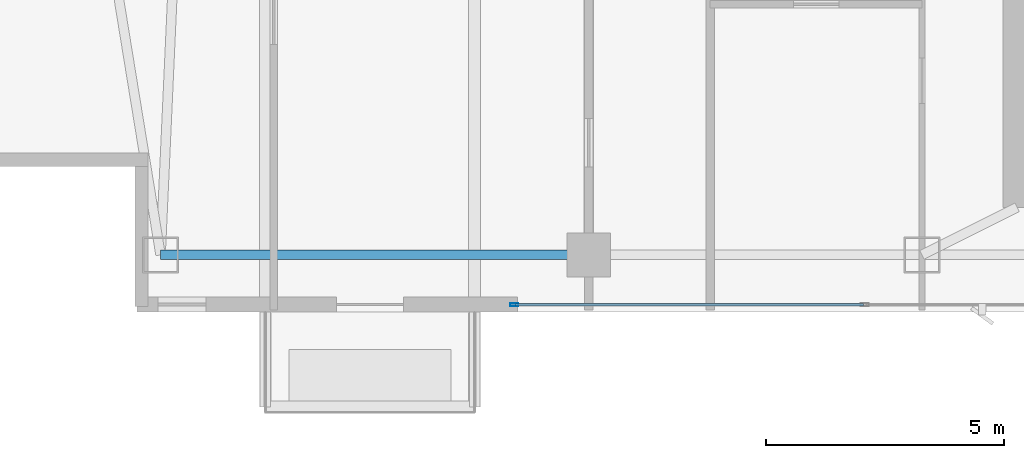
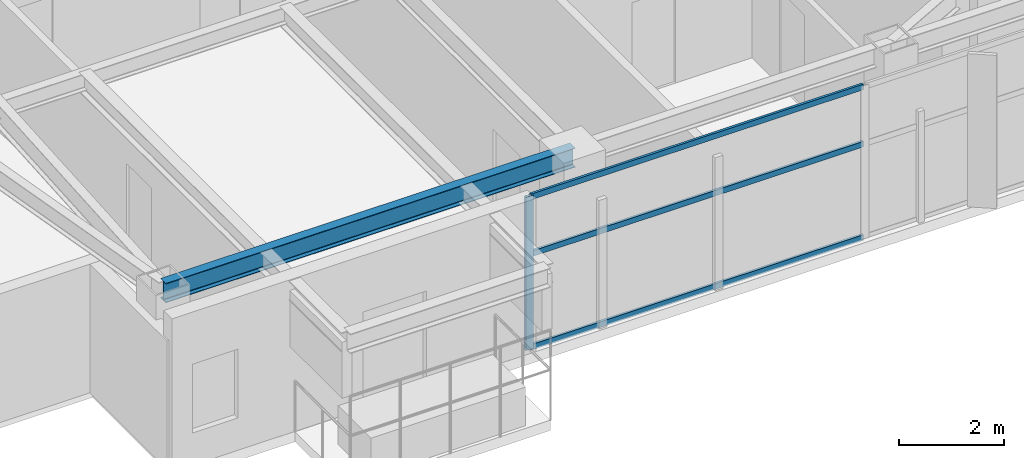
# One storey, part 3 of 28: 4 members, 1 beam, 1 element without a shape of its own.
"""IFC4 building model written with IfcOpenShell, lengths in metres."""

from ifc_helpers import new_model, si_unit, direction, frame, origin, origin_2d, place, context, subcontext, project, spatial, hollow_rectangle, i_section, extrude, material, layer, layer_set, material_profile, profile_set, type_object, element, aggregate, save


model = new_model("IFC4")

# Units and contexts
model_context = context("Model", 3, precision=1e-05, world=origin(), true_north=direction((0.0, 1.0)))
body_context = subcontext(model_context, "Body", "Model", "MODEL_VIEW")
ifc_project = project(units=[si_unit("LENGTHUNIT", "METRE"), si_unit("AREAUNIT", "SQUARE_METRE"), si_unit("VOLUMEUNIT", "CUBIC_METRE"), si_unit("PLANEANGLEUNIT", "RADIAN"), si_unit("MASSUNIT", "GRAM", prefix="KILO")], contexts=[model_context])

# Site, building, storey
site_placement = place(None, origin())
site = spatial("IfcSite", under=ifc_project, at=site_placement, CompositionType="ELEMENT")
building_placement = place(site_placement, origin())
building = spatial("IfcBuilding", under=site, at=building_placement, Name="Calvorn Quay Hotel", CompositionType="ELEMENT")
storey_placement = place(building_placement, frame((0.0, 0.0, 271.10009765625)))
storey = spatial("IfcBuildingStorey", under=building, at=storey_placement, Name="L67", CompositionType="ELEMENT", Elevation=271.10009765625)

# Beam
ifc_material_1 = material(Name="Steel Q355B", Category="steel")
ifc_material_profile_1 = material_profile(ifc_material_1, i_section(OverallWidth=0.199951171875, OverallDepth=0.449951171875, WebThickness=0.009033203125, FlangeThickness=0.013916015625, FilletRadius=0.01611328125, at=origin_2d()), Name="HN450x200x9x14")
ifc_profile_set_1 = profile_set([ifc_material_profile_1], Name="Steel Q355B")
beam_type = type_object("IfcBeamType", Name="BM-SPANDREL-Z3", PredefinedType="SPANDREL", material=ifc_profile_set_1)
beam_placement = place(storey_placement, frame((3.60009765625, 3.60009765625, 3.31494140625), z_axis=(1.0, 0.0, 0.0), x_axis=(0.0, 1.0, 0.0)))
element("IfcBeam", 1, at=beam_placement, inside=storey, type_object=beam_type, Name="Beam BSP-L67-S1", PredefinedType="SPANDREL", context=body_context, shape_type="SweptSolid", body=[
    extrude(i_section(OverallWidth=0.199951171875, OverallDepth=0.449951171875, WebThickness=0.009033203125, FlangeThickness=0.013916015625, FilletRadius=0.01611328125, at=origin_2d()), origin(), (0.0, 0.0, 1.0), 9.0),
])

# Curtain wall, members
ifc_material_2 = material(Name="Champagne Bronze Anodised Aluminium and Low-E Glass", Category="aluminium")
ifc_layer = layer(ifc_material_2, 0.219970703125)
ifc_layer_set = layer_set([ifc_layer], Name="CW-SYS-Z4")
curtain_wall_type = type_object("IfcCurtainWallType", Name="CW-SYS-Z4", PredefinedType="NOTDEFINED", material=ifc_layer_set)
curtain_wall_placement = place(storey_placement, origin())
curtain_wall = element("IfcCurtainWall", 2, at=curtain_wall_placement, inside=storey, type_object=curtain_wall_type, Name="Tower South Waterfront Curtain Wall (L67)", PredefinedType="NOTDEFINED")
ifc_material_3 = material(Name="Champagne Bronze Anodised Aluminium 6063-T6", Category="aluminium")
ifc_material_profile_2 = material_profile(ifc_material_3, hollow_rectangle(XDim=0.06494140625, YDim=0.169921875, WallThickness=0.00341796875, at=origin_2d()), Name="ALU-M170x65x3.5")
ifc_profile_set_2 = profile_set([ifc_material_profile_2], Name="Champagne Bronze Anodised Aluminium 6063-T6")
member_type_1 = type_object("IfcMemberType", Name="CW-SYS-Z4-MUL", PredefinedType="MULLION", material=ifc_profile_set_2)
member_1_placement = place(storey_placement, frame((11.030029296875, 2.550048828125, 0.0), z_axis=(0.0, 0.0, 1.0), x_axis=(0.0, 1.0, 0.0)))
member_1 = element("IfcMember", 3, at=member_1_placement, type_object=member_type_1, Name="CW-L67-S mullion 1", PredefinedType="MULLION", context=body_context, shape_type="SweptSolid", body=[
    extrude(hollow_rectangle(XDim=0.06494140625, YDim=0.169921875, WallThickness=0.00341796875, at=origin_2d()), origin(), (0.0, 0.0, 1.0), 3.559814453125),
])
ifc_material_4 = material(Name="Champagne Bronze Anodised Aluminium 6063-T6", Category="aluminium")
ifc_material_profile_3 = material_profile(ifc_material_4, hollow_rectangle(XDim=0.054931640625, YDim=0.1298828125, WallThickness=0.003173828125, at=origin_2d()), Name="ALU-T130x55x3.2")
ifc_profile_set_3 = profile_set([ifc_material_profile_3], Name="Champagne Bronze Anodised Aluminium 6063-T6")
member_type_2 = type_object("IfcMemberType", Name="CW-SYS-Z4-TRN", PredefinedType="USERDEFINED", material=ifc_profile_set_3)
member_2_placement = place(storey_placement, frame((11.06005859375, 2.550048828125, 0.02978515625), z_axis=(1.0, 0.0, 0.0), x_axis=(0.0, 1.0, 0.0)))
member_2 = element("IfcMember", 4, at=member_2_placement, type_object=member_type_2, Name="CW-L67-S transom 1.1", ObjectType="TRANSOM", PredefinedType="USERDEFINED", context=body_context, shape_type="SweptSolid", body=[
    extrude(hollow_rectangle(XDim=0.054931640625, YDim=0.1298828125, WallThickness=0.003173828125, at=origin_2d()), origin(), (0.0, 0.0, 1.0), 7.31005859375),
])
member_3_placement = place(storey_placement, frame((11.06005859375, 2.550048828125, 2.199951171875), z_axis=(1.0, 0.0, 0.0), x_axis=(0.0, 1.0, 0.0)))
member_3 = element("IfcMember", 5, at=member_3_placement, type_object=member_type_2, Name="CW-L67-S transom 1.2", ObjectType="TRANSOM", PredefinedType="USERDEFINED", context=body_context, shape_type="SweptSolid", body=[
    extrude(hollow_rectangle(XDim=0.054931640625, YDim=0.1298828125, WallThickness=0.003173828125, at=origin_2d()), origin(), (0.0, 0.0, 1.0), 7.31005859375),
])
member_4_placement = place(storey_placement, frame((11.06005859375, 2.550048828125, 3.52978515625), z_axis=(1.0, 0.0, 0.0), x_axis=(0.0, 1.0, 0.0)))
member_4 = element("IfcMember", 6, at=member_4_placement, type_object=member_type_2, Name="CW-L67-S transom 1.3", ObjectType="TRANSOM", PredefinedType="USERDEFINED", context=body_context, shape_type="SweptSolid", body=[
    extrude(hollow_rectangle(XDim=0.054931640625, YDim=0.1298828125, WallThickness=0.003173828125, at=origin_2d()), origin(), (0.0, 0.0, 1.0), 7.31005859375),
])
aggregate(curtain_wall, [member_1, member_2, member_3, member_4])

save(model, "model.ifc")
